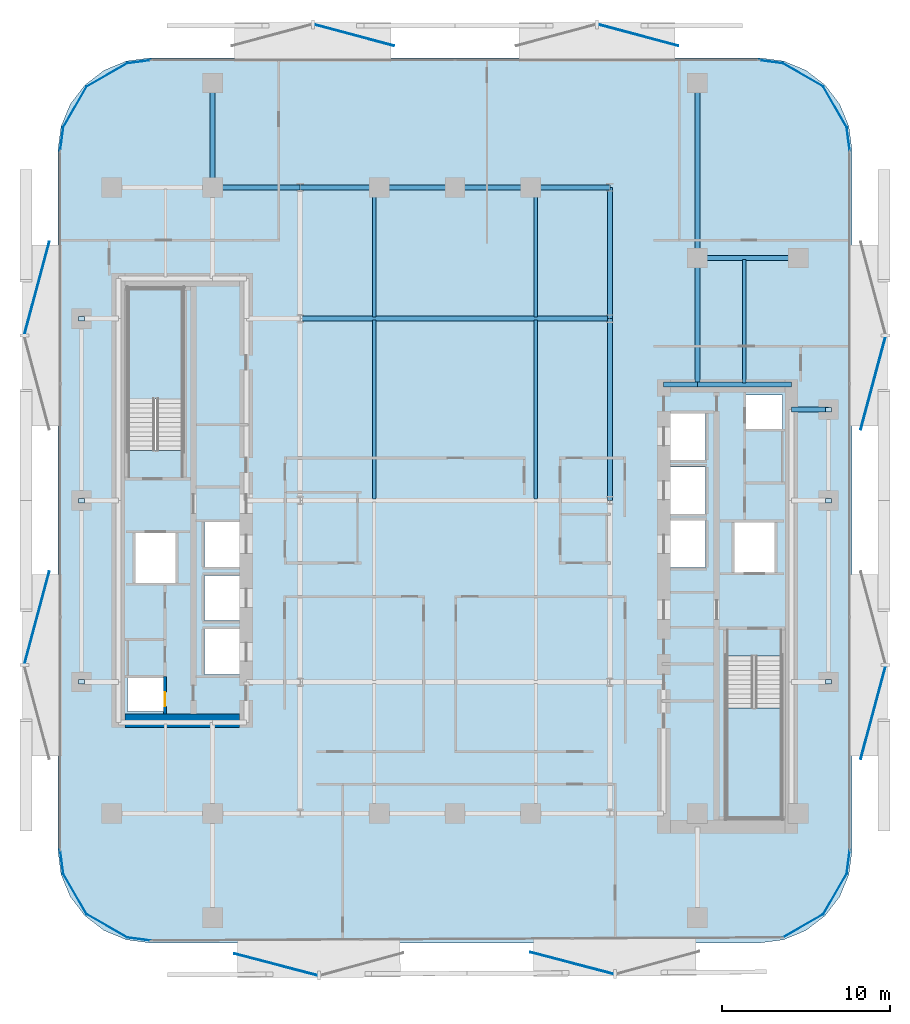
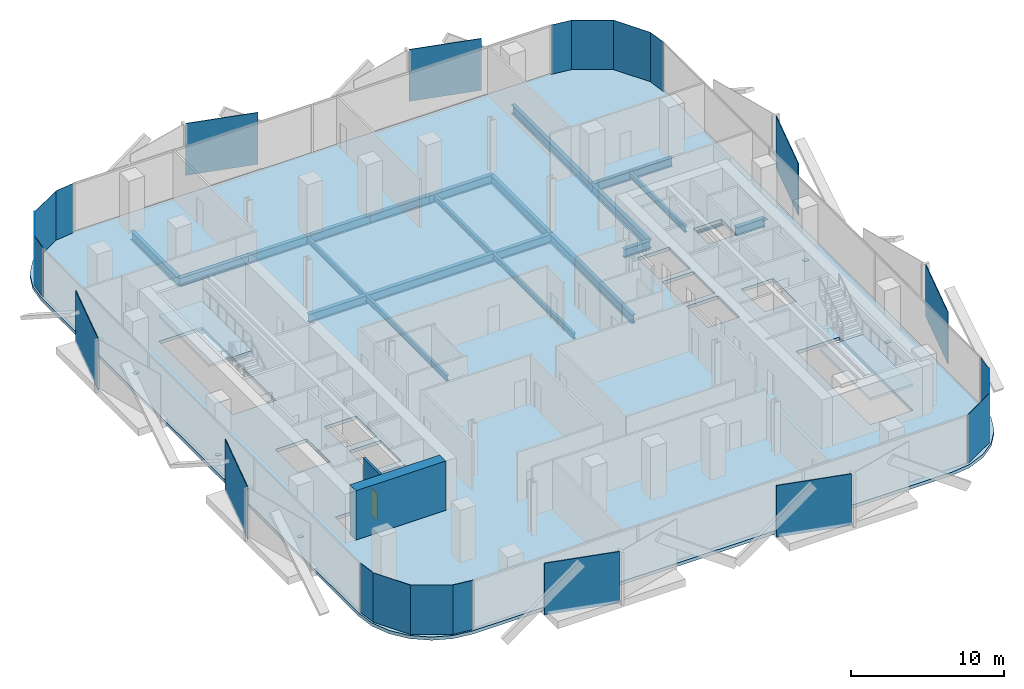
# One storey, part 2 of 15: 29 plates, 20 beams, 3 slabs, 2 walls, 1 door, 1 opening, 2 elements without a shape of their own.
"""IFC4 building model written with IfcOpenShell, lengths in metres."""

from ifc_helpers import new_model, si_unit, direction, frame, frame_2d, origin, origin_2d, place, context, subcontext, project, spatial, polyline, rectangle, i_section, outline, extrude, material, layer, layer_set, material_profile, profile_set, type_object, element, fill, aggregate, save


model = new_model("IFC4")

# Units and contexts
model_context = context("Model", 3, precision=1e-05, world=origin(), true_north=direction((0.0, 1.0)))
body_context = subcontext(model_context, "Body", "Model", "MODEL_VIEW")
ifc_project = project(units=[si_unit("LENGTHUNIT", "METRE"), si_unit("AREAUNIT", "SQUARE_METRE"), si_unit("VOLUMEUNIT", "CUBIC_METRE"), si_unit("PLANEANGLEUNIT", "RADIAN"), si_unit("MASSUNIT", "GRAM", prefix="KILO")], contexts=[model_context])

# Site, building, storey
site_placement = place(None, origin())
site = spatial("IfcSite", under=ifc_project, at=site_placement, CompositionType="ELEMENT")
building_placement = place(site_placement, origin())
building = spatial("IfcBuilding", under=site, at=building_placement, Name="Khairoan Windgate Tower", CompositionType="ELEMENT")
storey_placement = place(building_placement, frame((0.0, 0.0, 131.0)))
storey = spatial("IfcBuildingStorey", under=building, at=storey_placement, Name="L30", CompositionType="ELEMENT", Elevation=131.0)

# Beams
ifc_material_1 = material(Name="Steel S355", Category="steel")
ifc_material_profile_1 = material_profile(ifc_material_1, i_section(OverallWidth=0.300048828125, OverallDepth=0.699951171875, WebThickness=0.012939453125, FlangeThickness=0.02392578125, FilletRadius=0.02587890625, at=origin_2d()))
ifc_profile_set_1 = profile_set([ifc_material_profile_1], Name="Steel S355")
beam_type_1 = type_object("IfcBeamType", Name="Beam B-G3 H700x300x13x24", PredefinedType="BEAM", material=ifc_profile_set_1)
beam_1_placement = place(storey_placement, frame((20.0, 5.39990234375, -0.610107421875), z_axis=(1.0, 0.0, 0.0), x_axis=(0.0, 1.0, 0.0)))
element("IfcBeam", 1, at=beam_1_placement, inside=storey, type_object=beam_type_1, Name="L30 E-W Primary Girder 19", PredefinedType="BEAM", context=body_context, shape_type="SweptSolid", body=[
    extrude(i_section(OverallWidth=0.300048828125, OverallDepth=0.699951171875, WebThickness=0.012939453125, FlangeThickness=0.02392578125, FilletRadius=0.02587890625, at=origin_2d()), origin(), (0.0, 0.0, 1.0), 2.199951171875),
])
beam_2_placement = place(storey_placement, frame((12.39990234375, 6.89990234375, -0.610107421875), z_axis=(1.0, 0.0, 0.0), x_axis=(0.0, 1.0, 0.0)))
element("IfcBeam", 2, at=beam_2_placement, inside=storey, type_object=beam_type_1, Name="L30 E-W Primary Girder 20", PredefinedType="BEAM", context=body_context, shape_type="SweptSolid", body=[
    extrude(i_section(OverallWidth=0.300048828125, OverallDepth=0.699951171875, WebThickness=0.012939453125, FlangeThickness=0.02392578125, FilletRadius=0.02587890625, at=origin_2d()), origin(), (0.0, 0.0, 1.0), 2.0),
])
beam_3_placement = place(storey_placement, frame((14.39990234375, 6.89990234375, -0.610107421875), z_axis=(1.0, 0.0, 0.0), x_axis=(0.0, 1.0, 0.0)))
element("IfcBeam", 3, at=beam_3_placement, inside=storey, type_object=beam_type_1, Name="L30 E-W Primary Girder 21", PredefinedType="BEAM", context=body_context, shape_type="SweptSolid", body=[
    extrude(i_section(OverallWidth=0.300048828125, OverallDepth=0.699951171875, WebThickness=0.012939453125, FlangeThickness=0.02392578125, FilletRadius=0.02587890625, at=origin_2d()), origin(), (0.0, 0.0, 1.0), 5.60009765625),
])
beam_4_placement = place(storey_placement, frame((-9.199951171875, 10.800048828125, -0.610107421875), z_axis=(1.0, 0.0, 0.0), x_axis=(0.0, 1.0, 0.0)))
element("IfcBeam", 4, at=beam_4_placement, inside=storey, type_object=beam_type_1, Name="L30 E-W Primary Girder 24", PredefinedType="BEAM", context=body_context, shape_type="SweptSolid", body=[
    extrude(i_section(OverallWidth=0.300048828125, OverallDepth=0.699951171875, WebThickness=0.012939453125, FlangeThickness=0.02392578125, FilletRadius=0.02587890625, at=origin_2d()), origin(), (0.0, 0.0, 1.0), 18.39990234375),
])
beam_5_placement = place(storey_placement, frame((14.39990234375, 14.39990234375, -0.610107421875), z_axis=(1.0, 0.0, 0.0), x_axis=(0.0, 1.0, 0.0)))
element("IfcBeam", 5, at=beam_5_placement, inside=storey, type_object=beam_type_1, Name="L30 E-W Primary Girder 27", PredefinedType="BEAM", context=body_context, shape_type="SweptSolid", body=[
    extrude(i_section(OverallWidth=0.300048828125, OverallDepth=0.699951171875, WebThickness=0.012939453125, FlangeThickness=0.02392578125, FilletRadius=0.02587890625, at=origin_2d()), origin(), (0.0, 0.0, 1.0), 6.0),
])
beam_6_placement = place(storey_placement, frame((-14.39990234375, 18.60009765625, -0.610107421875), z_axis=(1.0, 0.0, 0.0), x_axis=(0.0, 1.0, 0.0)))
element("IfcBeam", 6, at=beam_6_placement, inside=storey, type_object=beam_type_1, Name="L30 E-W Primary Girder 29", PredefinedType="BEAM", context=body_context, shape_type="SweptSolid", body=[
    extrude(i_section(OverallWidth=0.300048828125, OverallDepth=0.699951171875, WebThickness=0.012939453125, FlangeThickness=0.02392578125, FilletRadius=0.02587890625, at=origin_2d()), origin(), (0.0, 0.0, 1.0), 5.199951171875),
])
beam_7_placement = place(storey_placement, frame((-9.199951171875, 18.60009765625, -0.610107421875), z_axis=(1.0, 0.0, 0.0), x_axis=(0.0, 1.0, 0.0)))
element("IfcBeam", 7, at=beam_7_placement, inside=storey, type_object=beam_type_1, Name="L30 E-W Primary Girder 30", PredefinedType="BEAM", context=body_context, shape_type="SweptSolid", body=[
    extrude(i_section(OverallWidth=0.300048828125, OverallDepth=0.699951171875, WebThickness=0.012939453125, FlangeThickness=0.02392578125, FilletRadius=0.02587890625, at=origin_2d()), origin(), (0.0, 0.0, 1.0), 4.699951171875),
])
for number, where, z_axis, x_axis, name in (
    (8, (-4.5, 18.60009765625, -0.610107421875), (1.0, 0.0, 0.0), (0.0, 1.0, 0.0), "L30 E-W Primary Girder 31"),
    (9, (0.0, 18.60009765625, -0.610107421875), (1.0, 0.0, 0.0), (0.0, 1.0, 0.0), "L30 E-W Primary Girder 32"),
):
    element("IfcBeam", number, at=place(storey_placement, frame(where, z_axis=z_axis, x_axis=x_axis)), inside=storey, type_object=beam_type_1, Name=name, PredefinedType="BEAM", context=body_context, shape_type="SweptSolid", body=[
        extrude(i_section(OverallWidth=0.300048828125, OverallDepth=0.699951171875, WebThickness=0.012939453125, FlangeThickness=0.02392578125, FilletRadius=0.02587890625, at=origin_2d()), origin(), (0.0, 0.0, 1.0), 4.5),
    ])
beam_8_placement = place(storey_placement, frame((4.5, 18.60009765625, -0.610107421875), z_axis=(1.0, 0.0, 0.0), x_axis=(0.0, 1.0, 0.0)))
element("IfcBeam", 10, at=beam_8_placement, inside=storey, type_object=beam_type_1, Name="L30 E-W Primary Girder 33", PredefinedType="BEAM", context=body_context, shape_type="SweptSolid", body=[
    extrude(i_section(OverallWidth=0.300048828125, OverallDepth=0.699951171875, WebThickness=0.012939453125, FlangeThickness=0.02392578125, FilletRadius=0.02587890625, at=origin_2d()), origin(), (0.0, 0.0, 1.0), 4.699951171875),
])
beam_9_placement = place(storey_placement, frame((-14.39990234375, 18.60009765625, -0.610107421875), z_axis=(0.0, 1.0, 0.0), x_axis=(-1.0, 0.0, 0.0)))
element("IfcBeam", 11, at=beam_9_placement, inside=storey, type_object=beam_type_1, Name="L30 N-S Primary Beam 43", PredefinedType="BEAM", context=body_context, shape_type="SweptSolid", body=[
    extrude(i_section(OverallWidth=0.300048828125, OverallDepth=0.699951171875, WebThickness=0.012939453125, FlangeThickness=0.02392578125, FilletRadius=0.02587890625, at=origin_2d()), origin(), (0.0, 0.0, 1.0), 6.199951171875),
])
beam_10_placement = place(storey_placement, frame((9.199951171875, 0.0, -0.610107421875), z_axis=(0.0, 1.0, 0.0), x_axis=(-1.0, 0.0, 0.0)))
element("IfcBeam", 12, at=beam_10_placement, inside=storey, type_object=beam_type_1, Name="L30 N-S Primary Beam 53", PredefinedType="BEAM", context=body_context, shape_type="SweptSolid", body=[
    extrude(i_section(OverallWidth=0.300048828125, OverallDepth=0.699951171875, WebThickness=0.012939453125, FlangeThickness=0.02392578125, FilletRadius=0.02587890625, at=origin_2d()), origin(), (0.0, 0.0, 1.0), 10.800048828125),
])
beam_11_placement = place(storey_placement, frame((9.199951171875, 10.800048828125, -0.610107421875), z_axis=(0.0, 1.0, 0.0), x_axis=(-1.0, 0.0, 0.0)))
element("IfcBeam", 13, at=beam_11_placement, inside=storey, type_object=beam_type_1, Name="L30 N-S Primary Beam 54", PredefinedType="BEAM", context=body_context, shape_type="SweptSolid", body=[
    extrude(i_section(OverallWidth=0.300048828125, OverallDepth=0.699951171875, WebThickness=0.012939453125, FlangeThickness=0.02392578125, FilletRadius=0.02587890625, at=origin_2d()), origin(), (0.0, 0.0, 1.0), 7.800048828125),
])
beam_12_placement = place(storey_placement, frame((14.39990234375, 6.89990234375, -0.610107421875), z_axis=(0.0, 1.0, 0.0), x_axis=(-1.0, 0.0, 0.0)))
element("IfcBeam", 14, at=beam_12_placement, inside=storey, type_object=beam_type_1, Name="L30 N-S Primary Beam 57", PredefinedType="BEAM", context=body_context, shape_type="SweptSolid", body=[
    extrude(i_section(OverallWidth=0.300048828125, OverallDepth=0.699951171875, WebThickness=0.012939453125, FlangeThickness=0.02392578125, FilletRadius=0.02587890625, at=origin_2d()), origin(), (0.0, 0.0, 1.0), 7.5),
])
beam_13_placement = place(storey_placement, frame((14.39990234375, 14.39990234375, -0.610107421875), z_axis=(0.0, 1.0, 0.0), x_axis=(-1.0, 0.0, 0.0)))
element("IfcBeam", 15, at=beam_13_placement, inside=storey, type_object=beam_type_1, Name="L30 N-S Primary Beam 58", PredefinedType="BEAM", context=body_context, shape_type="SweptSolid", body=[
    extrude(i_section(OverallWidth=0.300048828125, OverallDepth=0.699951171875, WebThickness=0.012939453125, FlangeThickness=0.02392578125, FilletRadius=0.02587890625, at=origin_2d()), origin(), (0.0, 0.0, 1.0), 10.400146484375),
])
ifc_material_2 = material(Name="Steel S355", Category="steel")
ifc_material_profile_2 = material_profile(ifc_material_2, i_section(OverallWidth=0.199951171875, OverallDepth=0.449951171875, WebThickness=0.009033203125, FlangeThickness=0.013916015625, FilletRadius=0.01806640625, at=origin_2d()))
ifc_profile_set_2 = profile_set([ifc_material_profile_2], Name="Steel S355")
beam_type_2 = type_object("IfcBeamType", Name="Beam J-S3 H450x200x9x14", PredefinedType="JOIST", material=ifc_profile_set_2)
beam_14_placement = place(storey_placement, frame((-4.800048828125, 0.090087890625, -0.485107421875), z_axis=(0.0, 1.0, 0.0), x_axis=(-1.0, 0.0, 0.0)))
element("IfcBeam", 16, at=beam_14_placement, inside=storey, type_object=beam_type_2, Name="L30 Secondary Floor Joist 05", PredefinedType="JOIST", context=body_context, shape_type="SweptSolid", body=[
    extrude(i_section(OverallWidth=0.199951171875, OverallDepth=0.449951171875, WebThickness=0.009033203125, FlangeThickness=0.013916015625, FilletRadius=0.01806640625, at=origin_2d()), origin(), (0.0, 0.0, 1.0), 10.619873046875),
])
beam_15_placement = place(storey_placement, frame((-4.800048828125, 10.889892578125, -0.485107421875), z_axis=(0.0, 1.0, 0.0), x_axis=(-1.0, 0.0, 0.0)))
element("IfcBeam", 17, at=beam_15_placement, inside=storey, type_object=beam_type_2, Name="L30 Secondary Floor Joist 06", PredefinedType="JOIST", context=body_context, shape_type="SweptSolid", body=[
    extrude(i_section(OverallWidth=0.199951171875, OverallDepth=0.449951171875, WebThickness=0.009033203125, FlangeThickness=0.013916015625, FilletRadius=0.01806640625, at=origin_2d()), origin(), (0.0, 0.0, 1.0), 7.6201171875),
])
beam_16_placement = place(storey_placement, frame((4.800048828125, 0.090087890625, -0.485107421875), z_axis=(0.0, 1.0, 0.0), x_axis=(-1.0, 0.0, 0.0)))
element("IfcBeam", 18, at=beam_16_placement, inside=storey, type_object=beam_type_2, Name="L30 Secondary Floor Joist 09", PredefinedType="JOIST", context=body_context, shape_type="SweptSolid", body=[
    extrude(i_section(OverallWidth=0.199951171875, OverallDepth=0.449951171875, WebThickness=0.009033203125, FlangeThickness=0.013916015625, FilletRadius=0.01806640625, at=origin_2d()), origin(), (0.0, 0.0, 1.0), 10.619873046875),
])
beam_17_placement = place(storey_placement, frame((4.800048828125, 10.889892578125, -0.485107421875), z_axis=(0.0, 1.0, 0.0), x_axis=(-1.0, 0.0, 0.0)))
element("IfcBeam", 19, at=beam_17_placement, inside=storey, type_object=beam_type_2, Name="L30 Secondary Floor Joist 10", PredefinedType="JOIST", context=body_context, shape_type="SweptSolid", body=[
    extrude(i_section(OverallWidth=0.199951171875, OverallDepth=0.449951171875, WebThickness=0.009033203125, FlangeThickness=0.013916015625, FilletRadius=0.01806640625, at=origin_2d()), origin(), (0.0, 0.0, 1.0), 7.6201171875),
])
beam_18_placement = place(storey_placement, frame((17.199951171875, 6.989990234375, -0.485107421875), z_axis=(0.0, 1.0, 0.0), x_axis=(-1.0, 0.0, 0.0)))
element("IfcBeam", 20, at=beam_18_placement, inside=storey, type_object=beam_type_2, Name="L30 Secondary Floor Joist 11", PredefinedType="JOIST", context=body_context, shape_type="SweptSolid", body=[
    extrude(i_section(OverallWidth=0.199951171875, OverallDepth=0.449951171875, WebThickness=0.009033203125, FlangeThickness=0.013916015625, FilletRadius=0.01806640625, at=origin_2d()), origin(), (0.0, 0.0, 1.0), 7.320068359375),
])

# Plates
ifc_material_3 = material(Name="Low-E Solar Control Laminated Glass", Category="glass")
ifc_layer_1 = layer(ifc_material_3, 0.030029296875, Name="Low-E Solar Control Laminated Glass")
ifc_layer_set_1 = layer_set([ifc_layer_1], Name="Low-E Solar Control Laminated Glass")
plate_type_1 = type_object("IfcPlateType", Name="Aerodynamic Wind-Corner Curved Glazing Plate", PredefinedType="USERDEFINED", material=ifc_layer_set_1)
plate_placement = place(storey_placement, frame((-18.788818359375, -26.068115234375, 0.0), z_axis=(0.0, 0.0, 1.0), x_axis=(-0.991444861374, 0.13052619222, 0.0)))
element("IfcPlate", 21, at=plate_placement, inside=storey, type_object=plate_type_1, Name="L30 Aerodynamic Wind-Corner Curved Glazing Panel 2", ObjectType="GLAZING PANEL", PredefinedType="USERDEFINED", context=body_context, shape_type="SweptSolid", body=[
    extrude(rectangle(XDim=1.4482421875, YDim=0.028076171875, at=origin_2d()), origin(), (0.0, 0.0, 1.0), 3.93994140625),
])
for number, where, z_axis, x_axis, name in (
    (22, (-20.688232421875, -25.28271484375, 0.0), (0.0, 0.0, 1.0), (-0.866025403784, 0.5, 0.0), "L30 Aerodynamic Wind-Corner Curved Glazing Panel 3"),
    (23, (-22.582763671875, -23.38818359375, 0.0), (0.0, 0.0, 1.0), (-0.5, 0.866025403784, 0.0), "L30 Aerodynamic Wind-Corner Curved Glazing Panel 4"),
):
    element("IfcPlate", number, at=place(storey_placement, frame(where, z_axis=z_axis, x_axis=x_axis)), inside=storey, type_object=plate_type_1, Name=name, ObjectType="GLAZING PANEL", PredefinedType="USERDEFINED", context=body_context, shape_type="SweptSolid", body=[
        extrude(rectangle(XDim=2.81396484375, YDim=0.028076171875, at=origin_2d()), origin(), (0.0, 0.0, 1.0), 3.93994140625),
    ])
for number, where, z_axis, x_axis, name in (
    (24, (-23.3681640625, -21.489013671875, 0.0), (0.0, 0.0, 1.0), (-0.13052619222, 0.991444861374, 0.0), "L30 Aerodynamic Wind-Corner Curved Glazing Panel 5"),
    (25, (-23.3681640625, 21.489013671875, 0.0), (0.0, 0.0, 1.0), (0.13052619222, 0.991444861374, 0.0), "L30 Aerodynamic Wind-Corner Curved Glazing Panel 7"),
):
    element("IfcPlate", number, at=place(storey_placement, frame(where, z_axis=z_axis, x_axis=x_axis)), inside=storey, type_object=plate_type_1, Name=name, ObjectType="GLAZING PANEL", PredefinedType="USERDEFINED", context=body_context, shape_type="SweptSolid", body=[
        extrude(rectangle(XDim=1.4482421875, YDim=0.028076171875, at=origin_2d()), origin(), (0.0, 0.0, 1.0), 3.93994140625),
    ])
for number, where, z_axis, x_axis, name in (
    (26, (-22.582763671875, 23.38818359375, 0.0), (0.0, 0.0, 1.0), (0.5, 0.866025403784, 0.0), "L30 Aerodynamic Wind-Corner Curved Glazing Panel 8"),
    (27, (-20.688232421875, 25.28271484375, 0.0), (0.0, 0.0, 1.0), (0.866025403784, 0.5, 0.0), "L30 Aerodynamic Wind-Corner Curved Glazing Panel 9"),
):
    element("IfcPlate", number, at=place(storey_placement, frame(where, z_axis=z_axis, x_axis=x_axis)), inside=storey, type_object=plate_type_1, Name=name, ObjectType="GLAZING PANEL", PredefinedType="USERDEFINED", context=body_context, shape_type="SweptSolid", body=[
        extrude(rectangle(XDim=2.81396484375, YDim=0.028076171875, at=origin_2d()), origin(), (0.0, 0.0, 1.0), 3.93994140625),
    ])
for number, where, z_axis, x_axis, name in (
    (28, (-18.788818359375, 26.068115234375, 0.0), (0.0, 0.0, 1.0), (0.991444861374, 0.13052619222, 0.0), "L30 Aerodynamic Wind-Corner Curved Glazing Panel 10"),
    (29, (18.788818359375, 26.068115234375, 0.0), (0.0, 0.0, 1.0), (0.991444861374, -0.13052619222, 0.0), "L30 Aerodynamic Wind-Corner Curved Glazing Panel 12"),
):
    element("IfcPlate", number, at=place(storey_placement, frame(where, z_axis=z_axis, x_axis=x_axis)), inside=storey, type_object=plate_type_1, Name=name, ObjectType="GLAZING PANEL", PredefinedType="USERDEFINED", context=body_context, shape_type="SweptSolid", body=[
        extrude(rectangle(XDim=1.4482421875, YDim=0.028076171875, at=origin_2d()), origin(), (0.0, 0.0, 1.0), 3.93994140625),
    ])
for number, where, z_axis, x_axis, name in (
    (30, (20.688232421875, 25.28271484375, 0.0), (0.0, 0.0, 1.0), (0.866025403784, -0.5, 0.0), "L30 Aerodynamic Wind-Corner Curved Glazing Panel 13"),
    (31, (22.582763671875, 23.38818359375, 0.0), (0.0, 0.0, 1.0), (0.5, -0.866025403784, 0.0), "L30 Aerodynamic Wind-Corner Curved Glazing Panel 14"),
):
    element("IfcPlate", number, at=place(storey_placement, frame(where, z_axis=z_axis, x_axis=x_axis)), inside=storey, type_object=plate_type_1, Name=name, ObjectType="GLAZING PANEL", PredefinedType="USERDEFINED", context=body_context, shape_type="SweptSolid", body=[
        extrude(rectangle(XDim=2.81396484375, YDim=0.028076171875, at=origin_2d()), origin(), (0.0, 0.0, 1.0), 3.93994140625),
    ])
for number, where, z_axis, x_axis, name in (
    (32, (23.3681640625, 21.489013671875, 0.0), (0.0, 0.0, 1.0), (0.13052619222, -0.991444861374, 0.0), "L30 Aerodynamic Wind-Corner Curved Glazing Panel 15"),
    (33, (23.3681640625, -21.489013671875, 0.0), (0.0, 0.0, 1.0), (-0.13052619222, -0.991444861374, 0.0), "L30 Aerodynamic Wind-Corner Curved Glazing Panel 17"),
):
    element("IfcPlate", number, at=place(storey_placement, frame(where, z_axis=z_axis, x_axis=x_axis)), inside=storey, type_object=plate_type_1, Name=name, ObjectType="GLAZING PANEL", PredefinedType="USERDEFINED", context=body_context, shape_type="SweptSolid", body=[
        extrude(rectangle(XDim=1.4482421875, YDim=0.028076171875, at=origin_2d()), origin(), (0.0, 0.0, 1.0), 3.93994140625),
    ])
for number, where, z_axis, x_axis, name in (
    (34, (22.582763671875, -23.38818359375, 0.0), (0.0, 0.0, 1.0), (-0.5, -0.866025403784, 0.0), "L30 Aerodynamic Wind-Corner Curved Glazing Panel 18"),
    (35, (20.688232421875, -25.28271484375, 0.0), (0.0, 0.0, 1.0), (-0.866025403784, -0.5, 0.0), "L30 Aerodynamic Wind-Corner Curved Glazing Panel 19"),
):
    element("IfcPlate", number, at=place(storey_placement, frame(where, z_axis=z_axis, x_axis=x_axis)), inside=storey, type_object=plate_type_1, Name=name, ObjectType="GLAZING PANEL", PredefinedType="USERDEFINED", context=body_context, shape_type="SweptSolid", body=[
        extrude(rectangle(XDim=2.81396484375, YDim=0.028076171875, at=origin_2d()), origin(), (0.0, 0.0, 1.0), 3.93994140625),
    ])
ifc_material_4 = material(Name="Steel S355", Category="steel")
ifc_layer_2 = layer(ifc_material_4, 0.0400390625, Name="Steel S355")
ifc_layer_set_2 = layer_set([ifc_layer_2], Name="Steel S355")
plate_type_2 = type_object("IfcPlateType", Name="Hollow Section End-Cap Plate PL-CAP40", PredefinedType="SHEET", material=ifc_layer_set_2)
for number, where, z_axis, x_axis, name in (
    (36, (-22.199951171875, -10.784912109375, -0.455078125), (0.0, 0.0, 1.0), (0.0, 1.0, 0.0), "BM-SP-L30-034 steel end-cap plate 1"),
    (37, (-22.199951171875, -0.014892578125, -0.455078125), (0.0, 0.0, 1.0), (0.0, 1.0, 0.0), "BM-SP-L30-034 steel end-cap plate 2"),
    (38, (-22.199951171875, 10.784912109375, -0.455078125), (0.0, 0.0, 1.0), (0.0, 1.0, 0.0), "BM-SP-L30-035 steel end-cap plate 2"),
    (39, (22.199951171875, -10.784912109375, -0.455078125), (0.0, 0.0, 1.0), (0.0, 1.0, 0.0), "BM-SP-L30-062 steel end-cap plate 1"),
    (40, (22.199951171875, -0.014892578125, -0.455078125), (0.0, 0.0, 1.0), (0.0, 1.0, 0.0), "BM-SP-L30-062 steel end-cap plate 2"),
    (41, (22.199951171875, 5.385009765625, -0.455078125), (0.0, 0.0, 1.0), (0.0, 1.0, 0.0), "BM-SP-L30-063 steel end-cap plate 2"),
):
    element("IfcPlate", number, at=place(storey_placement, frame(where, z_axis=z_axis, x_axis=x_axis)), inside=storey, type_object=plate_type_2, Name=name, PredefinedType="SHEET", context=body_context, shape_type="SweptSolid", body=[
        extrude(rectangle(XDim=0.27001953125, YDim=0.3701171875, at=origin_2d()), origin(), (0.0, 0.0, 1.0), 0.0400390625),
    ])
ifc_material_5 = material(Name="Anodised Bronze Aluminium 6063-T6", Category="aluminium")
ifc_layer_3 = layer(ifc_material_5, 0.054931640625, Name="Anodised Bronze Aluminium 6063-T6")
ifc_layer_set_3 = layer_set([ifc_layer_3], Name="Anodised Bronze Aluminium 6063-T6")
plate_type_3 = type_object("IfcPlateType", Name="Perforated Bronze Solar Screen Panel BSP-1", PredefinedType="USERDEFINED", material=ifc_layer_set_3)
for number, where, z_axis, x_axis, name in (
    (42, (6.946044921875, -27.497314453125, -0.10009765625), (0.0, 0.0, 1.0), (-0.967179115616, 0.254095569259, 0.0), "L30 Perforated Bronze Solar Screen Panel 185R"),
    (43, (-10.642822265625, -27.58349609375, -0.10009765625), (0.0, 0.0, 1.0), (-0.967179115616, 0.254095569259, 0.0), "L30 Perforated Bronze Solar Screen Panel 186R"),
):
    element("IfcPlate", number, at=place(storey_placement, frame(where, z_axis=z_axis, x_axis=x_axis)), inside=storey, type_object=plate_type_3, Name=name, ObjectType="SCREEN", PredefinedType="USERDEFINED", context=body_context, shape_type="SweptSolid", body=[
        extrude(rectangle(XDim=5.10107421875, YDim=0.054931640625, at=origin_2d()), origin(), (0.0, 0.0, 1.0), 4.139892578125),
    ])
for number, where, z_axis, x_axis, name in (
    (44, (-24.8447265625, -6.961669921875, -0.10009765625), (0.0, 0.0, 1.0), (0.258819045103, 0.965925826289, 0.0), "L30 Perforated Bronze Solar Screen Panel 187R"),
    (45, (-24.8447265625, 12.629150390625, -0.10009765625), (0.0, 0.0, 1.0), (0.258819045103, 0.965925826289, 0.0), "L30 Perforated Bronze Solar Screen Panel 188R"),
):
    element("IfcPlate", number, at=place(storey_placement, frame(where, z_axis=z_axis, x_axis=x_axis)), inside=storey, type_object=plate_type_3, Name=name, ObjectType="SCREEN", PredefinedType="USERDEFINED", context=body_context, shape_type="SweptSolid", body=[
        extrude(rectangle(XDim=5.680908203125, YDim=0.054931640625, at=origin_2d()), origin(), (0.0, 0.0, 1.0), 4.139892578125),
    ])
for number, where, z_axis, x_axis, name in (
    (46, (-5.98974609375, 27.646240234375, -0.10009765625), (0.0, 0.0, 1.0), (0.965925826289, -0.258819045103, 0.0), "L30 Perforated Bronze Solar Screen Panel 189R"),
    (47, (10.90087890625, 27.646240234375, -0.10009765625), (0.0, 0.0, 1.0), (0.965925826289, -0.258819045103, 0.0), "L30 Perforated Bronze Solar Screen Panel 190R"),
):
    element("IfcPlate", number, at=place(storey_placement, frame(where, z_axis=z_axis, x_axis=x_axis)), inside=storey, type_object=plate_type_3, Name=name, ObjectType="SCREEN", PredefinedType="USERDEFINED", context=body_context, shape_type="SweptSolid", body=[
        extrude(rectangle(XDim=4.89794921875, YDim=0.054931640625, at=origin_2d()), origin(), (0.0, 0.0, 1.0), 4.139892578125),
    ])
for number, where, z_axis, x_axis, name in (
    (48, (24.8447265625, 6.961669921875, -0.10009765625), (0.0, 0.0, 1.0), (-0.258819045103, -0.965925826289, 0.0), "L30 Perforated Bronze Solar Screen Panel 191R"),
    (49, (24.8447265625, -12.629150390625, -0.10009765625), (0.0, 0.0, 1.0), (-0.258819045103, -0.965925826289, 0.0), "L30 Perforated Bronze Solar Screen Panel 192R"),
):
    element("IfcPlate", number, at=place(storey_placement, frame(where, z_axis=z_axis, x_axis=x_axis)), inside=storey, type_object=plate_type_3, Name=name, ObjectType="SCREEN", PredefinedType="USERDEFINED", context=body_context, shape_type="SweptSolid", body=[
        extrude(rectangle(XDim=5.680908203125, YDim=0.054931640625, at=origin_2d()), origin(), (0.0, 0.0, 1.0), 4.139892578125),
    ])

# Stair, slab
ifc_material_6 = material(Name="Concrete C40/50", Category="concrete")
stair_type = type_object("IfcStairType", Name="Tower Core Dog-Leg Stair ST-T1 1560mm", PredefinedType="HALF_TURN_STAIR", material=ifc_material_6)
stair_1_placement = place(storey_placement, origin())
stair_1 = element("IfcStair", 50, at=stair_1_placement, inside=storey, type_object=stair_type, Name="L30 Stair ST1", PredefinedType="HALF_TURN_STAIR")
ifc_material_7 = material(Name="Concrete C40/50", Category="concrete")
ifc_layer_4 = layer(ifc_material_7, 0.199951171875, Name="Concrete C40/50")
ifc_layer_set_4 = layer_set([ifc_layer_4], Name="Concrete C40/50")
slab_type_1 = type_object("IfcSlabType", Name="Reinforced Concrete Stair Landing Slab STL-200", PredefinedType="LANDING", material=ifc_layer_set_4)
slab_1_placement = place(storey_placement, frame((0.0, 0.0, 1.89990234375)))
slab_1 = element("IfcSlab", 51, at=slab_1_placement, type_object=slab_type_1, Name="ST1 landing 1", PredefinedType="LANDING", context=body_context, shape_type="SweptSolid", body=[
    extrude(outline(polyline([(16.14990234375, -12.340087890625), (16.14990234375, -18.89990234375), (19.419921875, -18.89990234375), (19.419921875, -12.340087890625), (16.14990234375, -12.340087890625)])), origin(), (0.0, 0.0, 1.0), 0.2001953125),
])
aggregate(stair_1, [slab_1])

stair_2_placement = place(storey_placement, origin())
stair_2 = element("IfcStair", 52, at=stair_2_placement, inside=storey, type_object=stair_type, Name="L30 Stair ST2", PredefinedType="HALF_TURN_STAIR")
slab_2_placement = place(storey_placement, frame((0.0, 0.0, 1.89990234375)))
slab_2 = element("IfcSlab", 53, at=slab_2_placement, type_object=slab_type_1, Name="ST2 landing 1", PredefinedType="LANDING", context=body_context, shape_type="SweptSolid", body=[
    extrude(outline(polyline([(-16.14990234375, 6.0400390625), (-16.14990234375, 12.60009765625), (-19.419921875, 12.60009765625), (-19.419921875, 6.0400390625), (-16.14990234375, 6.0400390625)])), origin(), (0.0, 0.0, 1.0), 0.2001953125),
])
aggregate(stair_2, [slab_2])

# Slab
ifc_material_8 = material(Name="Concrete C40/50", Category="concrete")
ifc_layer_5 = layer(ifc_material_8, 0.260009765625, Name="Concrete C40/50")
ifc_layer_set_5 = layer_set([ifc_layer_5], Name="Concrete C40/50")
slab_type_2 = type_object("IfcSlabType", Name="Tower Composite Floor Slab FS2 260mm", PredefinedType="FLOOR", material=ifc_layer_set_5)
slab_3_placement = place(storey_placement, frame((0.0, 0.0, -0.260009765625)))
element("IfcSlab", 54, at=slab_3_placement, inside=storey, type_object=slab_type_2, Name="L30 Structural Floor Slab", PredefinedType="FLOOR", context=body_context, shape_type="SweptSolid", body=[
    extrude(outline(polyline([(18.10009765625, -26.300048828125), (19.5234375, -26.112548828125), (20.85009765625, -25.56298828125), (21.989013671875, -24.689208984375), (22.863037109375, -23.550048828125), (23.41259765625, -22.223388671875), (23.60009765625, -20.800048828125), (23.60009765625, 20.800048828125), (23.41259765625, 22.223388671875), (22.863037109375, 23.550048828125), (21.989013671875, 24.689208984375), (20.85009765625, 25.56298828125), (19.5234375, 26.112548828125), (18.10009765625, 26.300048828125), (-18.10009765625, 26.300048828125), (-19.5234375, 26.112548828125), (-20.85009765625, 25.56298828125), (-21.989013671875, 24.689208984375), (-22.863037109375, 23.550048828125), (-23.41259765625, 22.223388671875), (-23.60009765625, 20.800048828125), (-23.60009765625, -20.800048828125), (-23.41259765625, -22.223388671875), (-22.863037109375, -23.550048828125), (-21.989013671875, -24.689208984375), (-20.85009765625, -25.56298828125), (-19.5234375, -26.112548828125), (-18.10009765625, -26.300048828125), (18.10009765625, -26.300048828125)]), holes=[polyline([(16.14990234375, -9.260009765625), (16.14990234375, -18.89990234375), (19.419921875, -18.89990234375), (19.419921875, -9.260009765625), (16.14990234375, -9.260009765625)]), polyline([(-16.14990234375, 2.9599609375), (-16.14990234375, 12.60009765625), (-19.419921875, 12.60009765625), (-19.419921875, 2.9599609375), (-16.14990234375, 2.9599609375)]), polyline([(-14.89990234375, -3.949951171875), (-12.5, -3.949951171875), (-12.5, -1.25), (-14.89990234375, -1.25), (-14.89990234375, -3.949951171875)]), polyline([(-14.89990234375, -7.14990234375), (-12.5, -7.14990234375), (-12.5, -4.449951171875), (-14.89990234375, -4.449951171875), (-14.89990234375, -7.14990234375)]), polyline([(-14.89990234375, -10.35009765625), (-12.5, -10.35009765625), (-12.5, -7.64990234375), (-14.89990234375, -7.64990234375), (-14.89990234375, -10.35009765625)]), polyline([(12.5, 2.39990234375), (14.89990234375, 2.39990234375), (14.89990234375, 5.199951171875), (12.5, 5.199951171875), (12.5, 2.39990234375)]), polyline([(12.5, -0.800048828125), (14.89990234375, -0.800048828125), (14.89990234375, 2.0), (12.5, 2.0), (12.5, -0.800048828125)]), polyline([(12.5, -4.0), (14.89990234375, -4.0), (14.89990234375, -1.199951171875), (12.5, -1.199951171875), (12.5, -4.0)]), polyline([(16.60009765625, -4.300048828125), (19.0, -4.300048828125), (19.0, -1.300048828125), (16.60009765625, -1.300048828125), (16.60009765625, -4.300048828125)]), polyline([(-19.0, -4.89990234375), (-16.60009765625, -4.89990234375), (-16.60009765625, -1.89990234375), (-19.0, -1.89990234375), (-19.0, -4.89990234375)]), polyline([(-19.449951171875, -12.550048828125), (-17.31005859375, -12.550048828125), (-17.31005859375, -10.550048828125), (-19.449951171875, -10.550048828125), (-19.449951171875, -12.550048828125)]), polyline([(17.31005859375, 4.25), (19.449951171875, 4.25), (19.449951171875, 6.25), (17.31005859375, 6.25), (17.31005859375, 4.25)])]), origin(), (0.0, 0.0, 1.0), 0.260009765625),
])

# Wall, opening, door
ifc_material_9 = material(Name="Concrete C40/50", Category="concrete")
ifc_layer_6 = layer(ifc_material_9, 0.159912109375, Name="Concrete C40/50")
ifc_layer_set_6 = layer_set([ifc_layer_6], Name="Concrete C40/50")
wall_type_1 = type_object("IfcWallType", Name="Plant and Refuge Compartment Wall", PredefinedType="PARTITIONING", material=ifc_layer_set_6)
wall_1_placement = place(storey_placement, frame((-17.22998046875, -12.699951171875, 0.0), z_axis=(0.0, 0.0, 1.0), x_axis=(0.0, 1.0, 0.0)))
wall_1 = element("IfcWall", 55, at=wall_1_placement, inside=storey, type_object=wall_type_1, Name="L30 Interior Partition 001", PredefinedType="PARTITIONING", context=body_context, shape_type="SweptSolid", body=[
    extrude(rectangle(XDim=2.22998046875, YDim=0.159912109375, at=frame_2d((1.114990234375, 0.0))), origin(), (0.0, 0.0, 1.0), 3.93994140625),
])
opening_placement = place(wall_1_placement, frame((0.4599609375, 0.0, 0.0)))
opening = element("IfcOpeningElement", 56, at=opening_placement, cuts=wall_1, Name="Opening FD-SRV", PredefinedType="OPENING", context=body_context, shape_type="SweptSolid", body=[
    extrude(rectangle(XDim=0.85009765625, YDim=2.10009765625, at=frame_2d((0.425048828125, 1.050048828125))), frame((0.0, 0.08984375, 0.0), z_axis=(0.0, -1.0, 0.0), x_axis=(1.0, 0.0, 0.0)), (0.0, 0.0, 1.0), 0.179931640625),
])
ifc_material_10 = material(Name="Steel S355", Category="steel")
door_type = type_object("IfcDoorType", Name="Core Service and Riser Fire Door FD-SRV 850x2100", OperationType="NOTDEFINED", PredefinedType="DOOR", material=ifc_material_10)
door_placement = place(opening_placement, origin())
door = element("IfcDoor", 57, at=door_placement, inside=storey, type_object=door_type, Name="L30 L30-04-L30-05 Door", OperationType="SINGLE_SWING_RIGHT", OverallHeight=2.10009765625, OverallWidth=0.85009765625, PredefinedType="DOOR", context=body_context, shape_type="SweptSolid", body=[
    extrude(rectangle(XDim=0.85009765625, YDim=2.10009765625, at=frame_2d((0.425048828125, 1.050048828125))), frame((0.0, 0.02490234375, 0.0), z_axis=(0.0, -1.0, 0.0), x_axis=(1.0, 0.0, 0.0)), (0.0, 0.0, 1.0), 0.050048828125),
])
fill(opening, door)

# Wall
ifc_material_11 = material(Name="Concrete C70/85", Category="concrete")
ifc_layer_7 = layer(ifc_material_11, 0.800048828125, Name="Concrete C70/85")
ifc_layer_set_7 = layer_set([ifc_layer_7], Name="Concrete C70/85")
wall_type_2 = type_object("IfcWallType", Name="Shear Wall CW-W1 800mm", PredefinedType="SHEAR", material=ifc_layer_set_7)
wall_2_placement = place(storey_placement, frame((-19.60009765625, -13.10009765625, 0.0), z_axis=(0.0, 0.0, 1.0), x_axis=(1.0, 0.0, 0.0)))
element("IfcWall", 58, at=wall_2_placement, inside=storey, type_object=wall_type_2, Name="W Core South Shear Wall L30", PredefinedType="SHEAR", context=body_context, shape_type="SweptSolid", body=[
    extrude(rectangle(XDim=6.800048828125, YDim=0.800048828125, at=frame_2d((3.39990234375, 0.0))), origin(), (0.0, 0.0, 1.0), 3.93994140625),
])

save(model, "model.ifc")
